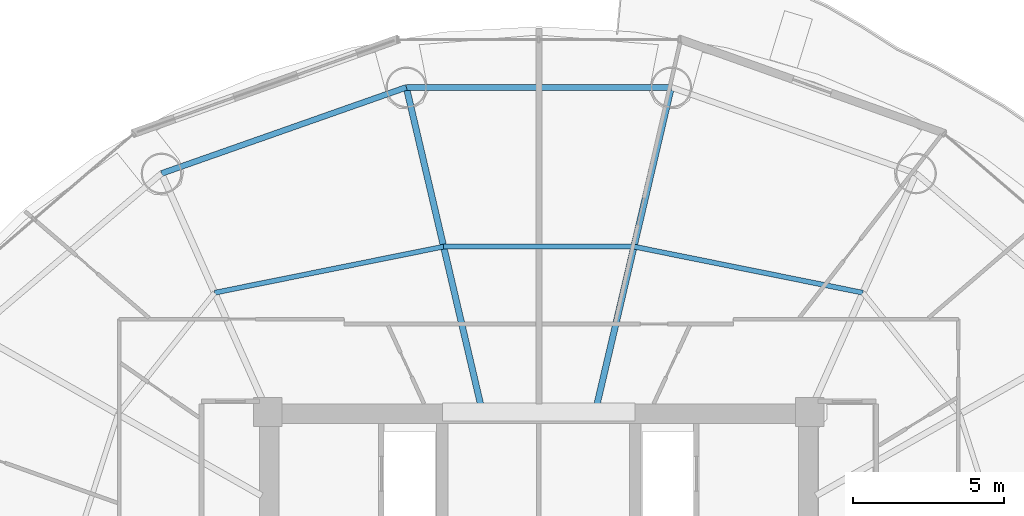
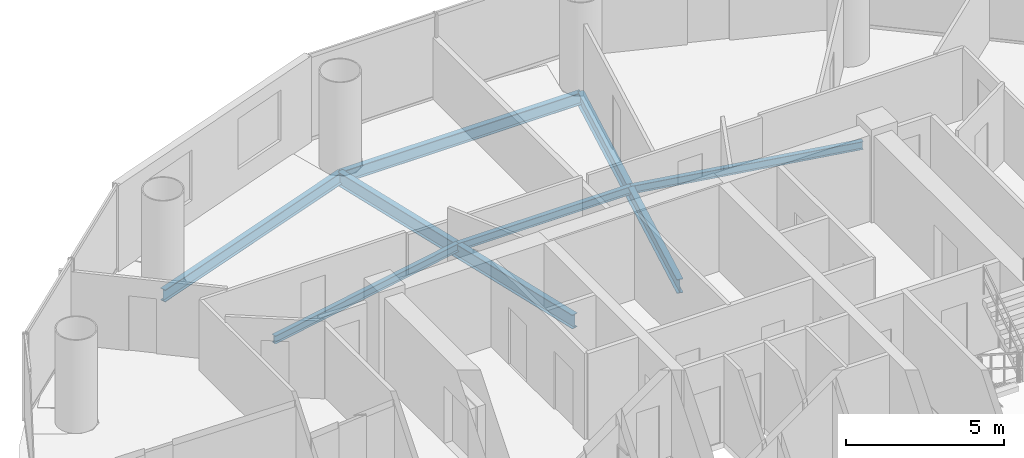
# One storey, part 15 of 26: 7 beams.
"""IFC4 building model written with IfcOpenShell, lengths in metres."""

from ifc_helpers import new_model, si_unit, direction, frame, origin, origin_2d, place, context, subcontext, project, spatial, i_section, extrude, material, material_profile, profile_set, type_object, element, save


model = new_model("IFC4")

# Units and contexts
model_context = context("Model", 3, precision=1e-05, world=origin(), true_north=direction((-0.2419218956, 0.970295726276)))
body_context = subcontext(model_context, "Body", "Model", "MODEL_VIEW")
ifc_project = project(units=[si_unit("LENGTHUNIT", "METRE"), si_unit("AREAUNIT", "SQUARE_METRE"), si_unit("VOLUMEUNIT", "CUBIC_METRE"), si_unit("PLANEANGLEUNIT", "RADIAN"), si_unit("MASSUNIT", "GRAM", prefix="KILO")], contexts=[model_context])

# Site, building, storey
site_placement = place(None, origin())
site = spatial("IfcSite", under=ifc_project, at=site_placement, CompositionType="ELEMENT")
building_placement = place(site_placement, origin())
building = spatial("IfcBuilding", under=site, at=building_placement, Name="Cobrevalo Terracotta Tower", CompositionType="ELEMENT")
storey_placement = place(building_placement, frame((0.0, 0.0, 142.60009765625)))
storey = spatial("IfcBuildingStorey", under=building, at=storey_placement, Name="L37", CompositionType="ELEMENT", Elevation=142.60009765625)

# Beams
ifc_material = material(Name="Steel S355", Category="steel")
ifc_material_profile_1 = material_profile(ifc_material, i_section(OverallWidth=0.2109375, OverallDepth=0.5390625, WebThickness=0.01171875, FlangeThickness=0.018798828125, at=origin_2d()), Name="W 530x109")
ifc_profile_set_1 = profile_set([ifc_material_profile_1], Name="Steel S355")
beam_type_1 = type_object("IfcBeamType", Name="Structural Beam W 530x109 (Steel S355)", PredefinedType="BEAM", material=ifc_profile_set_1)
for number, where, z_axis, x_axis, name in (
    (1, (42.399169921875, 45.58203125, -0.53955078125), (-0.228040864186, -0.973651562039, 0.0), (0.973651562039, -0.228040864186, 0.0), "L37 radial floor girder 04"),
    (2, (33.600830078125, 45.58203125, -0.53955078125), (0.228040864186, -0.973651562039, 0.0), (0.973651562039, 0.228040864186, 0.0), "L37 radial floor girder 05"),
):
    element("IfcBeam", number, at=place(storey_placement, frame(where, z_axis=z_axis, x_axis=x_axis)), inside=storey, type_object=beam_type_1, Name=name, PredefinedType="BEAM", context=body_context, shape_type="SweptSolid", body=[
        extrude(i_section(OverallWidth=0.2109375, OverallDepth=0.5390625, WebThickness=0.01171875, FlangeThickness=0.018798828125, at=origin_2d()), origin(), (0.0, 0.0, 1.0), 10.86328125),
    ])
ifc_material_profile_2 = material_profile(ifc_material, i_section(OverallWidth=0.1650390625, OverallDepth=0.31005859375, WebThickness=0.005859375, FlangeThickness=0.009765625, at=origin_2d()), Name="W 310x38.7")
ifc_profile_set_2 = profile_set([ifc_material_profile_2], Name="Steel S355")
beam_type_2 = type_object("IfcBeamType", Name="Structural Joist W 310x38.7 (Steel S355)", PredefinedType="JOIST", material=ifc_profile_set_2)
beam_1_placement = place(storey_placement, frame((48.76416015625, 38.76123046875, -0.425048828125), z_axis=(-0.980293928329, 0.197544461026, 0.0), x_axis=(-0.197544461026, -0.980293928329, 0.0)))
element("IfcBeam", 3, at=beam_1_placement, inside=storey, type_object=beam_type_2, Name="L37 circumferential secondary floor joist 03", PredefinedType="JOIST", context=body_context, shape_type="SweptSolid", body=[
    extrude(i_section(OverallWidth=0.1650390625, OverallDepth=0.31005859375, WebThickness=0.005859375, FlangeThickness=0.009765625, at=origin_2d()), origin(), (0.0, 0.0, 1.0), 7.75634765625),
])
beam_2_placement = place(storey_placement, frame((41.16064453125, 40.29345703125, -0.425048828125), z_axis=(-1.0, 0.0, 0.0), x_axis=(0.0, -1.0, 0.0)))
element("IfcBeam", 4, at=beam_2_placement, inside=storey, type_object=beam_type_2, Name="L37 circumferential secondary floor joist 04", PredefinedType="JOIST", context=body_context, shape_type="SweptSolid", body=[
    extrude(i_section(OverallWidth=0.1650390625, OverallDepth=0.31005859375, WebThickness=0.005859375, FlangeThickness=0.009765625, at=origin_2d()), origin(), (0.0, 0.0, 1.0), 6.3212890625),
])
beam_3_placement = place(storey_placement, frame((34.83935546875, 40.29345703125, -0.425048828125), z_axis=(-0.980293928329, -0.197544461026, 0.0), x_axis=(0.197544461026, -0.980293928329, 0.0)))
element("IfcBeam", 5, at=beam_3_placement, inside=storey, type_object=beam_type_2, Name="L37 circumferential secondary floor joist 05", PredefinedType="JOIST", context=body_context, shape_type="SweptSolid", body=[
    extrude(i_section(OverallWidth=0.1650390625, OverallDepth=0.31005859375, WebThickness=0.005859375, FlangeThickness=0.009765625, at=origin_2d()), origin(), (0.0, 0.0, 1.0), 7.75634765625),
])
ifc_material_profile_3 = material_profile(ifc_material, i_section(OverallWidth=0.194091796875, OverallDepth=0.468994140625, WebThickness=0.011474609375, FlangeThickness=0.0205078125, at=origin_2d()), Name="W 460x106")
ifc_profile_set_3 = profile_set([ifc_material_profile_3], Name="Steel S355")
beam_type_3 = type_object("IfcBeamType", Name="Structural Spandrel W 460x106 (Steel S355)", PredefinedType="SPANDREL", material=ifc_profile_set_3)
beam_4_placement = place(storey_placement, frame((42.399169921875, 45.58203125, -0.504638671875), z_axis=(-1.0, 0.0, 0.0), x_axis=(0.0, -1.0, 0.0)))
element("IfcBeam", 6, at=beam_4_placement, inside=storey, type_object=beam_type_3, Name="L37 perimeter ring spandrel 04", PredefinedType="SPANDREL", context=body_context, shape_type="SweptSolid", body=[
    extrude(i_section(OverallWidth=0.194091796875, OverallDepth=0.468994140625, WebThickness=0.011474609375, FlangeThickness=0.0205078125, at=origin_2d()), origin(), (0.0, 0.0, 1.0), 8.79833984375),
])
beam_5_placement = place(storey_placement, frame((33.600830078125, 45.58203125, -0.504638671875), z_axis=(-0.943341298492, -0.331824041565, 0.0), x_axis=(0.331824041565, -0.943341298492, 0.0)))
element("IfcBeam", 7, at=beam_5_placement, inside=storey, type_object=beam_type_3, Name="L37 perimeter ring spandrel 05", PredefinedType="SPANDREL", context=body_context, shape_type="SweptSolid", body=[
    extrude(i_section(OverallWidth=0.194091796875, OverallDepth=0.468994140625, WebThickness=0.011474609375, FlangeThickness=0.0205078125, at=origin_2d()), origin(), (0.0, 0.0, 1.0), 8.6171875),
])

save(model, "model.ifc")
